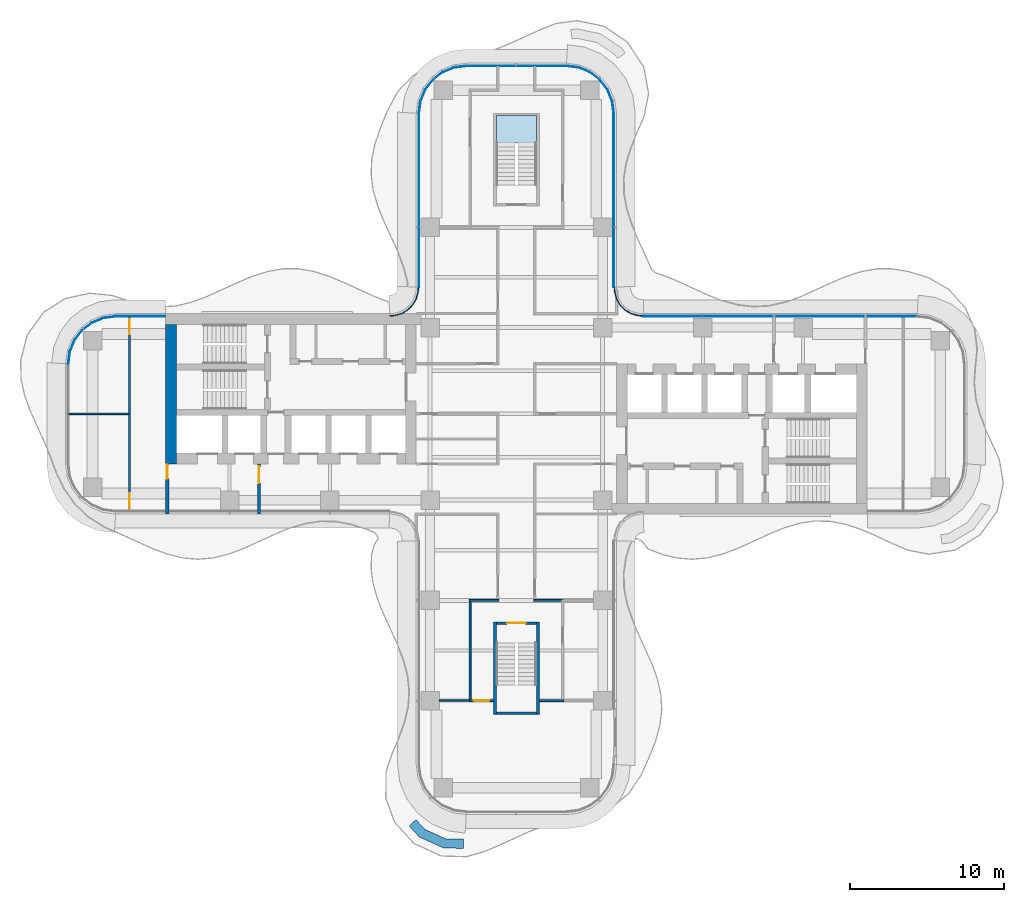
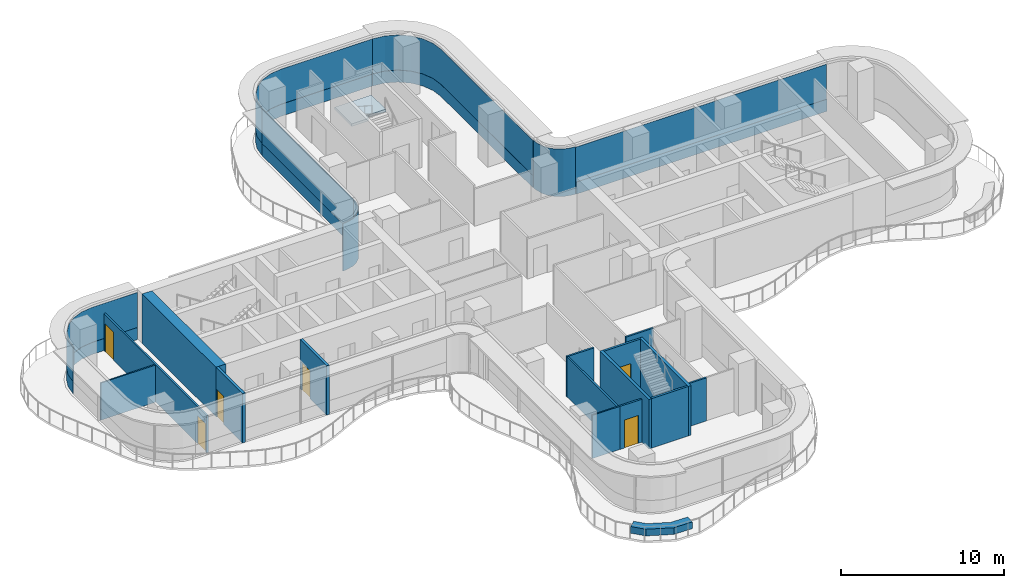
# One storey, part 13 of 19: 16 walls, 12 plates, 6 doors, 1 slab, 6 openings, 8 elements without a shape of their own.
"""IFC4 building model written with IfcOpenShell, lengths in metres."""

from ifc_helpers import new_model, si_unit, direction, frame, frame_2d, origin, place, context, subcontext, project, spatial, polyline, rectangle, outline, extrude, source, transform, mapped, material, layer, layer_set, type_object, element, fill, aggregate, save


model = new_model("IFC4")

# Units and contexts
model_context = context("Model", 3, precision=1e-05, world=origin(), true_north=direction((0.0, 1.0)))
body_context = subcontext(model_context, "Body", "Model", "MODEL_VIEW")
ifc_project = project(units=[si_unit("LENGTHUNIT", "METRE"), si_unit("AREAUNIT", "SQUARE_METRE"), si_unit("VOLUMEUNIT", "CUBIC_METRE"), si_unit("PLANEANGLEUNIT", "RADIAN"), si_unit("MASSUNIT", "GRAM", prefix="KILO")], contexts=[model_context])

# Site, building, storey
site_placement = place(None, origin())
site = spatial("IfcSite", under=ifc_project, at=site_placement, CompositionType="ELEMENT")
building_placement = place(site_placement, origin())
building = spatial("IfcBuilding", under=site, at=building_placement, Name="Trellis Farm Tower", CompositionType="ELEMENT")
storey_placement = place(building_placement, frame((0.0, 0.0, 197.10009765625)))
storey = spatial("IfcBuildingStorey", under=building, at=storey_placement, Name="L43", CompositionType="ELEMENT", Elevation=197.10009765625)

# Stair, slab
ifc_material_1 = material(Name="Concrete C50/60", Category="concrete")
stair_type = type_object("IfcStairType", Name="CORE EXIT STAIR 22 RISERS 177 MM", PredefinedType="HALF_TURN_STAIR", material=ifc_material_1)
placement_1 = place(storey_placement, origin())
stair = element("IfcStair", 1, at=placement_1, inside=storey, type_object=stair_type, Name="Exit stair N", PredefinedType="HALF_TURN_STAIR")
ifc_layer_1 = layer(ifc_material_1, 0.18994140625)
ifc_layer_set_1 = layer_set([ifc_layer_1], Name="CORE STAIR LANDING 190 CONCRETE C50/60")
slab_type = type_object("IfcSlabType", Name="CORE STAIR LANDING 190 CONCRETE C50/60", PredefinedType="LANDING", material=ifc_layer_set_1)
shared_shape_1 = source(origin(), body_context, "Body", "SweptSolid", [
    extrude(outline(polyline([(-0.10009765625, 17.27197265625), (-1.300048828125, 17.27197265625), (-1.300048828125, 17.60009765625), (-1.300048828125, 19.35009765625), (1.300048828125, 19.35009765625), (1.300048828125, 17.60009765625), (1.300048828125, 17.590087890625), (0.10009765625, 17.590087890625), (0.10009765625, 17.60009765625), (-0.10009765625, 17.60009765625), (-0.10009765625, 17.27197265625)])), origin(), (0.0, 0.0, 1.0), 0.18994140625),
])
slab_placement = place(storey_placement, frame((0.0, 0.0, 1.760009765625)))
slab = element("IfcSlab", 2, at=slab_placement, type_object=slab_type, Name="STN landing 1", PredefinedType="LANDING", context=body_context, shape_type="MappedRepresentation", body=[
    mapped(shared_shape_1, transform((0.0, 0.0, 0.0))),
])
aggregate(stair, [slab])

# Curtain wall, plates
ifc_material_2 = material(Name="Aluminium and glass curtain wall", Category="aluminium")
ifc_layer_2 = layer(ifc_material_2, 0.18994140625)
ifc_layer_set_2 = layer_set([ifc_layer_2], Name="RIBBON CURTAIN WALL CW1")
curtain_wall_type_1 = type_object("IfcCurtainWallType", Name="RIBBON CURTAIN WALL CW1", PredefinedType="NOTDEFINED", material=ifc_layer_set_2)
curtain_wall_1 = element("IfcCurtainWall", 3, at=placement_1, inside=storey, type_object=curtain_wall_type_1, Name="CW1 008", PredefinedType="NOTDEFINED")
ifc_material_3 = material(Name="Sandstone faced insulated panel", Category="masonry")
ifc_layer_3 = layer(ifc_material_3, 0.050048828125)
ifc_layer_set_3 = layer_set([ifc_layer_3], Name="CW1 STONE SPANDREL PANEL 50")
plate_type_1 = type_object("IfcPlateType", Name="CW1 STONE SPANDREL PANEL 50", PredefinedType="CURTAIN_PANEL", material=ifc_layer_set_3)
shared_shape_2 = source(origin(), body_context, "Body", "SweptSolid", [
    extrude(outline(polyline([(25.990234375, 6.35009765625), (8.2265625, 6.35009765625), (8.224853515625, 6.300048828125), (25.98681640625, 6.300048828125), (25.990234375, 6.35009765625)])), origin(), (0.0, 0.0, 1.0), 0.89990234375),
])
plate_1 = element("IfcPlate", 4, at=placement_1, type_object=plate_type_1, Name="PS1 008", PredefinedType="CURTAIN_PANEL", context=body_context, shape_type="MappedRepresentation", body=[
    mapped(shared_shape_2, transform((0.0, 0.0, 0.0))),
])
ifc_material_4 = material(Name="Clear insulated glass", Category="glass")
ifc_layer_4 = layer(ifc_material_4, 0.0400390625)
ifc_layer_set_4 = layer_set([ifc_layer_4], Name="CW1 GLASS PANEL 40")
plate_type_2 = type_object("IfcPlateType", Name="CW1 GLASS PANEL 40", PredefinedType="CURTAIN_PANEL", material=ifc_layer_set_4)
shared_shape_3 = source(origin(), body_context, "Body", "SweptSolid", [
    extrude(outline(polyline([(25.990234375, 6.35009765625), (8.2265625, 6.35009765625), (8.22509765625, 6.31005859375), (25.987548828125, 6.31005859375), (25.990234375, 6.35009765625)])), origin(), (0.0, 0.0, 1.0), 2.6201171875),
])
placement_2 = place(storey_placement, frame((0.0, 0.0, 0.89990234375)))
plate_2 = element("IfcPlate", 5, at=placement_2, type_object=plate_type_2, Name="PL1 008", PredefinedType="CURTAIN_PANEL", context=body_context, shape_type="MappedRepresentation", body=[
    mapped(shared_shape_3, transform((0.0, 0.0, 0.0))),
])
aggregate(curtain_wall_1, [plate_2, plate_1])

curtain_wall_2 = element("IfcCurtainWall", 6, at=placement_1, inside=storey, type_object=curtain_wall_type_1, Name="CW1 012", PredefinedType="NOTDEFINED")
shared_shape_4 = source(origin(), body_context, "Body", "SweptSolid", [
    extrude(outline(polyline([(-22.780029296875, 6.35009765625), (-25.990234375, 6.35009765625), (-26.802001953125, 6.2431640625), (-27.54931640625, 5.93359375), (-28.191162109375, 5.441162109375), (-28.68359375, 4.79931640625), (-28.9931640625, 4.052001953125), (-29.10009765625, 3.240234375), (-29.06005859375, 3.237548828125), (-28.9541015625, 4.04150390625), (-28.648681640625, 4.779296875), (-28.16259765625, 5.41259765625), (-27.529296875, 5.898681640625), (-26.79150390625, 6.2041015625), (-25.987548828125, 6.31005859375), (-22.780029296875, 6.31005859375), (-22.780029296875, 6.35009765625)])), origin(), (0.0, 0.0, 1.0), 2.6201171875),
])
plate_3 = element("IfcPlate", 7, at=placement_2, type_object=plate_type_2, Name="PL1 012", PredefinedType="CURTAIN_PANEL", context=body_context, shape_type="MappedRepresentation", body=[
    mapped(shared_shape_4, transform((0.0, 0.0, 0.0))),
])
shared_shape_5 = source(origin(), body_context, "Body", "SweptSolid", [
    extrude(outline(polyline([(-22.780029296875, 6.35009765625), (-25.990234375, 6.35009765625), (-26.802001953125, 6.2431640625), (-27.54931640625, 5.93359375), (-28.191162109375, 5.441162109375), (-28.68359375, 4.79931640625), (-28.9931640625, 4.052001953125), (-29.10009765625, 3.240234375), (-29.050048828125, 3.23681640625), (-28.9443359375, 4.0390625), (-28.639892578125, 4.774169921875), (-28.155517578125, 5.405517578125), (-27.524169921875, 5.889892578125), (-26.7890625, 6.1943359375), (-25.98681640625, 6.300048828125), (-22.780029296875, 6.300048828125), (-22.780029296875, 6.35009765625)])), origin(), (0.0, 0.0, 1.0), 0.89990234375),
])
plate_4 = element("IfcPlate", 8, at=placement_1, type_object=plate_type_1, Name="PS1 012", PredefinedType="CURTAIN_PANEL", context=body_context, shape_type="MappedRepresentation", body=[
    mapped(shared_shape_5, transform((0.0, 0.0, 0.0))),
])
aggregate(curtain_wall_2, [plate_3, plate_4])

# Curtain wall, plate
ifc_layer_5 = layer(ifc_material_2, 0.166015625)
ifc_layer_set_5 = layer_set([ifc_layer_5], Name="WINTER GARDEN CURTAIN WALL CW3")
curtain_wall_type_2 = type_object("IfcCurtainWallType", Name="WINTER GARDEN CURTAIN WALL CW3", PredefinedType="NOTDEFINED", material=ifc_layer_set_5)
curtain_wall_3 = element("IfcCurtainWall", 9, at=placement_1, inside=storey, type_object=curtain_wall_type_2, Name="CW3 003", PredefinedType="NOTDEFINED")
ifc_layer_6 = layer(ifc_material_4, 0.0458984375)
ifc_layer_set_6 = layer_set([ifc_layer_6], Name="CW3 GLASS PANEL 46")
plate_type_3 = type_object("IfcPlateType", Name="CW3 GLASS PANEL 46", PredefinedType="CURTAIN_PANEL", material=ifc_layer_set_6)
shared_shape_6 = source(origin(), body_context, "Body", "SweptSolid", [
    extrude(outline(polyline([(8.2275390625, 6.3798828125), (8.0078125, 6.394287109375), (7.89208984375, 6.40966796875), (7.462158203125, 6.52490234375), (7.070556640625, 6.7509765625), (6.7509765625, 7.070556640625), (6.52490234375, 7.462158203125), (6.40966796875, 7.89208984375), (6.394287109375, 8.0078125), (6.3798828125, 8.2275390625), (6.333984375, 8.22607421875), (6.3486328125, 8.003173828125), (6.364501953125, 7.883056640625), (6.48193359375, 7.4443359375), (6.714111328125, 7.04248046875), (7.04248046875, 6.714111328125), (7.4443359375, 6.48193359375), (7.883056640625, 6.364501953125), (8.003173828125, 6.3486328125), (8.22607421875, 6.333984375), (8.2275390625, 6.3798828125)])), origin(), (0.0, 0.0, 1.0), 3.5498046875),
])
plate_5 = element("IfcPlate", 10, at=placement_1, type_object=plate_type_3, Name="PL3 003", PredefinedType="CURTAIN_PANEL", context=body_context, shape_type="MappedRepresentation", body=[
    mapped(shared_shape_6, transform((0.0, 0.0, 0.0))),
])
aggregate(curtain_wall_3, [plate_5])

# Curtain wall, plates
curtain_wall_4 = element("IfcCurtainWall", 11, at=placement_1, inside=storey, type_object=curtain_wall_type_1, Name="CW1 009", PredefinedType="NOTDEFINED")
shared_shape_7 = source(origin(), body_context, "Body", "SweptSolid", [
    extrude(outline(polyline([(6.35009765625, 8.2265625), (6.35009765625, 19.490234375), (6.2431640625, 20.302001953125), (5.93359375, 21.04931640625), (5.441162109375, 21.691162109375), (4.79931640625, 22.18359375), (4.052001953125, 22.4931640625), (3.240234375, 22.60009765625), (3.237548828125, 22.56005859375), (4.04150390625, 22.4541015625), (4.779296875, 22.148681640625), (5.41259765625, 21.66259765625), (5.898681640625, 21.029296875), (6.2041015625, 20.29150390625), (6.31005859375, 19.487548828125), (6.31005859375, 8.22509765625), (6.35009765625, 8.2265625)])), origin(), (0.0, 0.0, 1.0), 2.6201171875),
])
plate_6 = element("IfcPlate", 12, at=placement_2, type_object=plate_type_2, Name="PL1 009", PredefinedType="CURTAIN_PANEL", context=body_context, shape_type="MappedRepresentation", body=[
    mapped(shared_shape_7, transform((0.0, 0.0, 0.0))),
])
shared_shape_8 = source(origin(), body_context, "Body", "SweptSolid", [
    extrude(outline(polyline([(6.35009765625, 8.2265625), (6.35009765625, 19.490234375), (6.2431640625, 20.302001953125), (5.93359375, 21.04931640625), (5.441162109375, 21.691162109375), (4.79931640625, 22.18359375), (4.052001953125, 22.4931640625), (3.240234375, 22.60009765625), (3.23681640625, 22.550048828125), (4.0390625, 22.4443359375), (4.774169921875, 22.139892578125), (5.405517578125, 21.655517578125), (5.889892578125, 21.024169921875), (6.1943359375, 20.2890625), (6.300048828125, 19.48681640625), (6.300048828125, 8.224853515625), (6.35009765625, 8.2265625)])), origin(), (0.0, 0.0, 1.0), 0.89990234375),
])
plate_7 = element("IfcPlate", 13, at=placement_1, type_object=plate_type_1, Name="PS1 009", PredefinedType="CURTAIN_PANEL", context=body_context, shape_type="MappedRepresentation", body=[
    mapped(shared_shape_8, transform((0.0, 0.0, 0.0))),
])
aggregate(curtain_wall_4, [plate_6, plate_7])

curtain_wall_5 = element("IfcCurtainWall", 14, at=placement_1, inside=storey, type_object=curtain_wall_type_1, Name="CW1 010", PredefinedType="NOTDEFINED")
shared_shape_9 = source(origin(), body_context, "Body", "SweptSolid", [
    extrude(outline(polyline([(3.240234375, 22.60009765625), (-3.240234375, 22.60009765625), (-4.052001953125, 22.4931640625), (-4.79931640625, 22.18359375), (-5.441162109375, 21.691162109375), (-5.93359375, 21.04931640625), (-6.2431640625, 20.302001953125), (-6.35009765625, 19.490234375), (-6.31005859375, 19.487548828125), (-6.2041015625, 20.29150390625), (-5.898681640625, 21.029296875), (-5.41259765625, 21.66259765625), (-4.779296875, 22.148681640625), (-4.04150390625, 22.4541015625), (-3.237548828125, 22.56005859375), (3.237548828125, 22.56005859375), (3.240234375, 22.60009765625)])), origin(), (0.0, 0.0, 1.0), 2.6201171875),
])
plate_8 = element("IfcPlate", 15, at=placement_2, type_object=plate_type_2, Name="PL1 010", PredefinedType="CURTAIN_PANEL", context=body_context, shape_type="MappedRepresentation", body=[
    mapped(shared_shape_9, transform((0.0, 0.0, 0.0))),
])
shared_shape_10 = source(origin(), body_context, "Body", "SweptSolid", [
    extrude(outline(polyline([(3.240234375, 22.60009765625), (-3.240234375, 22.60009765625), (-4.052001953125, 22.4931640625), (-4.79931640625, 22.18359375), (-5.441162109375, 21.691162109375), (-5.93359375, 21.04931640625), (-6.2431640625, 20.302001953125), (-6.35009765625, 19.490234375), (-6.300048828125, 19.48681640625), (-6.1943359375, 20.2890625), (-5.889892578125, 21.024169921875), (-5.405517578125, 21.655517578125), (-4.774169921875, 22.139892578125), (-4.0390625, 22.4443359375), (-3.23681640625, 22.550048828125), (3.23681640625, 22.550048828125), (3.240234375, 22.60009765625)])), origin(), (0.0, 0.0, 1.0), 0.89990234375),
])
plate_9 = element("IfcPlate", 16, at=placement_1, type_object=plate_type_1, Name="PS1 010", PredefinedType="CURTAIN_PANEL", context=body_context, shape_type="MappedRepresentation", body=[
    mapped(shared_shape_10, transform((0.0, 0.0, 0.0))),
])
aggregate(curtain_wall_5, [plate_8, plate_9])

curtain_wall_6 = element("IfcCurtainWall", 17, at=placement_1, inside=storey, type_object=curtain_wall_type_1, Name="CW1 011", PredefinedType="NOTDEFINED")
shared_shape_11 = source(origin(), body_context, "Body", "SweptSolid", [
    extrude(outline(polyline([(-6.35009765625, 19.490234375), (-6.35009765625, 8.2265625), (-6.31005859375, 8.22509765625), (-6.31005859375, 19.487548828125), (-6.35009765625, 19.490234375)])), origin(), (0.0, 0.0, 1.0), 2.6201171875),
])
plate_10 = element("IfcPlate", 18, at=placement_2, type_object=plate_type_2, Name="PL1 011", PredefinedType="CURTAIN_PANEL", context=body_context, shape_type="MappedRepresentation", body=[
    mapped(shared_shape_11, transform((0.0, 0.0, 0.0))),
])
shared_shape_12 = source(origin(), body_context, "Body", "SweptSolid", [
    extrude(outline(polyline([(-6.35009765625, 19.490234375), (-6.35009765625, 8.2265625), (-6.300048828125, 8.224853515625), (-6.300048828125, 19.48681640625), (-6.35009765625, 19.490234375)])), origin(), (0.0, 0.0, 1.0), 0.89990234375),
])
plate_11 = element("IfcPlate", 19, at=placement_1, type_object=plate_type_1, Name="PS1 011", PredefinedType="CURTAIN_PANEL", context=body_context, shape_type="MappedRepresentation", body=[
    mapped(shared_shape_12, transform((0.0, 0.0, 0.0))),
])
aggregate(curtain_wall_6, [plate_10, plate_11])

# Curtain wall, plate
curtain_wall_7 = element("IfcCurtainWall", 20, at=placement_1, inside=storey, type_object=curtain_wall_type_2, Name="CW3 004", PredefinedType="NOTDEFINED")
shared_shape_13 = source(origin(), body_context, "Body", "SweptSolid", [
    extrude(outline(polyline([(-6.3798828125, 8.2275390625), (-6.394287109375, 8.0078125), (-6.40966796875, 7.89208984375), (-6.52490234375, 7.462158203125), (-6.7509765625, 7.070556640625), (-7.070556640625, 6.7509765625), (-7.462158203125, 6.52490234375), (-7.89208984375, 6.40966796875), (-8.0078125, 6.394287109375), (-8.2275390625, 6.3798828125), (-8.22607421875, 6.333984375), (-8.003173828125, 6.3486328125), (-7.883056640625, 6.364501953125), (-7.4443359375, 6.48193359375), (-7.04248046875, 6.714111328125), (-6.714111328125, 7.04248046875), (-6.48193359375, 7.4443359375), (-6.364501953125, 7.883056640625), (-6.3486328125, 8.003173828125), (-6.333984375, 8.22607421875), (-6.3798828125, 8.2275390625)])), origin(), (0.0, 0.0, 1.0), 3.5498046875),
])
plate_12 = element("IfcPlate", 21, at=placement_1, type_object=plate_type_3, Name="PL3 004", PredefinedType="CURTAIN_PANEL", context=body_context, shape_type="MappedRepresentation", body=[
    mapped(shared_shape_13, transform((0.0, 0.0, 0.0))),
])
aggregate(curtain_wall_7, [plate_12])

# Walls
ifc_material_5 = material(Name="Sandstone faced masonry planter", Category="masonry")
ifc_layer_7 = layer(ifc_material_5, 0.60009765625)
ifc_layer_set_7 = layer_set([ifc_layer_7], Name="PLANTER BED 600")
wall_type_1 = type_object("IfcWallType", Name="PLANTER BED 600", PredefinedType="USERDEFINED", material=ifc_layer_set_7)
element("IfcWall", 22, at=placement_1, inside=storey, type_object=wall_type_1, Name="PLANTER bed", ObjectType="PLANTER", PredefinedType="USERDEFINED", context=body_context, shape_type="SweptSolid", body=[
    extrude(outline(polyline([(-6.30322265625, -27.4482421875), (-6.9580078125, -26.7333984375), (-6.515625, -26.328125), (-5.943115234375, -26.952880859375), (-4.6015625, -27.565185546875), (-3.426513671875, -27.59228515625), (-3.440185546875, -28.192138671875), (-4.738525390625, -28.162353515625), (-6.30322265625, -27.4482421875)])), origin(), (0.0, 0.0, 1.0), 0.5),
])
ifc_material_6 = material(Name="Concrete C70/85", Category="concrete")
ifc_layer_8 = layer(ifc_material_6, 0.699951171875)
ifc_layer_set_8 = layer_set([ifc_layer_8], Name="CORE OUTER WALL 700 CONCRETE C70/85")
wall_type_2 = type_object("IfcWallType", Name="CORE OUTER WALL 700 CONCRETE C70/85", PredefinedType="SHEAR", material=ifc_layer_set_8)
shared_shape_14 = source(origin(), body_context, "Body", "SweptSolid", [
    extrude(rectangle(XDim=9.050048828125, YDim=0.699951171875, at=frame_2d((4.52490234375, 0.0))), origin(), (0.0, 0.0, 1.0), 3.699951171875),
])
wall_2_placement = place(storey_placement, frame((-22.39990234375, 5.800048828125, 0.0), z_axis=(0.0, 0.0, 1.0), x_axis=(0.0, -1.0, 0.0)))
element("IfcWall", 23, at=wall_2_placement, inside=storey, type_object=wall_type_2, Name="Core wall", PredefinedType="SHEAR", context=body_context, shape_type="MappedRepresentation", body=[
    mapped(shared_shape_14, transform((0.0, 0.0, 0.0))),
])

# Wall, opening, door
ifc_material_7 = material(Name="Masonry blockwork", Category="masonry")
ifc_layer_9 = layer(ifc_material_7, 0.199951171875)
ifc_layer_set_9 = layer_set([ifc_layer_9], Name="FIRE LOBBY PARTITION 200 BLOCKWORK")
wall_type_3 = type_object("IfcWallType", Name="FIRE LOBBY PARTITION 200 BLOCKWORK", PredefinedType="PARTITIONING", material=ifc_layer_set_9)
shared_shape_15 = source(origin(), body_context, "Body", "SweptSolid", [
    extrude(rectangle(XDim=3.25, YDim=0.199951171875, at=frame_2d((1.625, 0.0))), origin(), (0.0, 0.0, 1.0), 3.699951171875),
])
wall_3_placement = place(storey_placement, frame((-16.699951171875, -3.25, 0.0), z_axis=(0.0, 0.0, 1.0), x_axis=(0.0, -1.0, 0.0)))
wall_3 = element("IfcWall", 24, at=wall_3_placement, inside=storey, type_object=wall_type_3, Name="Fire-fighting lobby partition", PredefinedType="PARTITIONING", context=body_context, shape_type="MappedRepresentation", body=[
    mapped(shared_shape_15, transform((0.0, 0.0, 0.0))),
])
shared_shape_16 = source(origin(), body_context, "Body", "SweptSolid", [
    extrude(rectangle(XDim=1.10009765625, YDim=2.10009765625, at=frame_2d((0.550048828125, 1.050048828125))), frame((0.0, 0.110107421875, 0.0), z_axis=(0.0, -1.0, 0.0), x_axis=(1.0, 0.0, 0.0)), (0.0, 0.0, 1.0), 0.22021484375),
])
opening_1_placement = place(wall_3_placement, frame((0.14990234375, 0.0, 0.0)))
opening_1 = element("IfcOpeningElement", 25, at=opening_1_placement, cuts=wall_3, Name="Opening DC93", PredefinedType="OPENING", context=body_context, shape_type="MappedRepresentation", body=[
    mapped(shared_shape_16, transform((0.0, 0.0, 0.0))),
])
ifc_material_8 = material(Name="Steel", Category="steel")
door_type_1 = type_object("IfcDoorType", Name="CORE FIRE DOOR 1100 X 2100", OperationType="NOTDEFINED", PredefinedType="DOOR", material=ifc_material_8)
shared_shape_17 = source(origin(), body_context, "Body", "SweptSolid", [
    extrude(rectangle(XDim=1.10009765625, YDim=2.10009765625, at=frame_2d((0.550048828125, 1.050048828125))), frame((0.0, 0.02490234375, 0.0), z_axis=(0.0, -1.0, 0.0), x_axis=(1.0, 0.0, 0.0)), (0.0, 0.0, 1.0), 0.050048828125),
])
door_1_placement = place(opening_1_placement, origin())
door_1 = element("IfcDoor", 26, at=door_1_placement, inside=storey, type_object=door_type_1, Name="Core door", OperationType="SINGLE_SWING_RIGHT", OverallHeight=2.10009765625, OverallWidth=1.10009765625, PredefinedType="DOOR", context=body_context, shape_type="MappedRepresentation", body=[
    mapped(shared_shape_17, transform((0.0, 0.0, 0.0))),
])
fill(opening_1, door_1)

wall_4_placement = place(storey_placement, frame((-22.64990234375, -3.25, 0.0), z_axis=(0.0, 0.0, 1.0), x_axis=(0.0, -1.0, 0.0)))
wall_4 = element("IfcWall", 27, at=wall_4_placement, inside=storey, type_object=wall_type_3, Name="Fire-fighting lobby partition", PredefinedType="PARTITIONING", context=body_context, shape_type="MappedRepresentation", body=[
    mapped(shared_shape_15, transform((0.0, 0.0, 0.0))),
])
shared_shape_18 = source(origin(), body_context, "Body", "SweptSolid", [
    extrude(rectangle(XDim=0.89990234375, YDim=2.10009765625, at=frame_2d((0.449951171875, 1.050048828125))), frame((0.0, 0.110107421875, 0.0), z_axis=(0.0, -1.0, 0.0), x_axis=(1.0, 0.0, 0.0)), (0.0, 0.0, 1.0), 0.22021484375),
])
opening_2_placement = place(wall_4_placement, frame((0.050048828125, 0.0, 0.0)))
opening_2 = element("IfcOpeningElement", 28, at=opening_2_placement, cuts=wall_4, Name="Opening DC94", PredefinedType="OPENING", context=body_context, shape_type="MappedRepresentation", body=[
    mapped(shared_shape_18, transform((0.0, 0.0, 0.0))),
])
door_type_2 = type_object("IfcDoorType", Name="CORE FIRE DOOR 900 X 2100", OperationType="NOTDEFINED", PredefinedType="DOOR", material=ifc_material_8)
shared_shape_19 = source(origin(), body_context, "Body", "SweptSolid", [
    extrude(rectangle(XDim=0.89990234375, YDim=2.10009765625, at=frame_2d((0.449951171875, 1.050048828125))), frame((0.0, 0.02490234375, 0.0), z_axis=(0.0, -1.0, 0.0), x_axis=(1.0, 0.0, 0.0)), (0.0, 0.0, 1.0), 0.050048828125),
])
door_2_placement = place(opening_2_placement, origin())
door_2 = element("IfcDoor", 29, at=door_2_placement, inside=storey, type_object=door_type_2, Name="Core door", OperationType="SINGLE_SWING_RIGHT", OverallHeight=2.10009765625, OverallWidth=0.89990234375, PredefinedType="DOOR", context=body_context, shape_type="MappedRepresentation", body=[
    mapped(shared_shape_19, transform((0.0, 0.0, 0.0))),
])
fill(opening_2, door_2)

# Walls
ifc_layer_10 = layer(ifc_material_6, 0.199951171875)
ifc_layer_set_10 = layer_set([ifc_layer_10], Name="CORE STAIR ENCLOSURE WALL 200 CONCRETE C70/85")
wall_type_4 = type_object("IfcWallType", Name="CORE STAIR ENCLOSURE WALL 200 CONCRETE C70/85", PredefinedType="SHEAR", material=ifc_layer_set_10)
shared_shape_20 = source(origin(), body_context, "Body", "SweptSolid", [
    extrude(rectangle(XDim=6.0, YDim=0.199951171875, at=frame_2d((3.0, 0.0))), origin(), (0.0, 0.0, 1.0), 3.699951171875),
])
for number, where, z_axis, x_axis, name in (
    (30, (1.39990234375, -13.5, 0.0), (0.0, 0.0, 1.0), (0.0, -1.0, 0.0), "Stair enclosure wall"),
    (31, (-1.39990234375, -13.5, 0.0), (0.0, 0.0, 1.0), (0.0, -1.0, 0.0), "Stair enclosure wall"),
):
    element("IfcWall", number, at=place(storey_placement, frame(where, z_axis=z_axis, x_axis=x_axis)), inside=storey, type_object=wall_type_4, Name=name, PredefinedType="SHEAR", context=body_context, shape_type="MappedRepresentation", body=[
        mapped(shared_shape_20, transform((0.0, 0.0, 0.0))),
    ])

# Wall, opening, door
ifc_layer_11 = layer(ifc_material_6, 0.14990234375)
ifc_layer_set_11 = layer_set([ifc_layer_11], Name="CORE STAIR ENCLOSURE WALL 150 CONCRETE C70/85")
wall_type_5 = type_object("IfcWallType", Name="CORE STAIR ENCLOSURE WALL 150 CONCRETE C70/85", PredefinedType="SHEAR", material=ifc_layer_set_11)
shared_shape_21 = source(origin(), body_context, "Body", "SweptSolid", [
    extrude(rectangle(XDim=2.60009765625, YDim=0.14990234375, at=frame_2d((1.300048828125, 0.0))), origin(), (0.0, 0.0, 1.0), 3.699951171875),
])
wall_5_placement = place(storey_placement, frame((1.300048828125, -13.574951171875, 0.0), z_axis=(0.0, 0.0, 1.0), x_axis=(-1.0, 0.0, 0.0)))
wall_5 = element("IfcWall", 32, at=wall_5_placement, inside=storey, type_object=wall_type_5, Name="Stair enclosure wall", PredefinedType="SHEAR", context=body_context, shape_type="MappedRepresentation", body=[
    mapped(shared_shape_21, transform((0.0, 0.0, 0.0))),
])
shared_shape_22 = source(origin(), body_context, "Body", "SweptSolid", [
    extrude(rectangle(XDim=1.199951171875, YDim=2.10009765625, at=frame_2d((0.60009765625, 1.050048828125))), frame((0.0, 0.0849609375, 0.0), z_axis=(0.0, -1.0, 0.0), x_axis=(1.0, 0.0, 0.0)), (0.0, 0.0, 1.0), 0.169921875),
])
opening_3_placement = place(wall_5_placement, frame((0.699951171875, 0.0, 0.0)))
opening_3 = element("IfcOpeningElement", 33, at=opening_3_placement, cuts=wall_5, Name="Opening DC174", PredefinedType="OPENING", context=body_context, shape_type="MappedRepresentation", body=[
    mapped(shared_shape_22, transform((0.0, 0.0, 0.0))),
])
door_type_3 = type_object("IfcDoorType", Name="CORE FIRE DOOR 1200 X 2100", OperationType="NOTDEFINED", PredefinedType="DOOR", material=ifc_material_8)
shared_shape_23 = source(origin(), body_context, "Body", "SweptSolid", [
    extrude(rectangle(XDim=1.199951171875, YDim=2.10009765625, at=frame_2d((0.60009765625, 1.050048828125))), frame((0.0, 0.02490234375, 0.0), z_axis=(0.0, -1.0, 0.0), x_axis=(1.0, 0.0, 0.0)), (0.0, 0.0, 1.0), 0.050048828125),
])
door_3_placement = place(opening_3_placement, origin())
door_3 = element("IfcDoor", 34, at=door_3_placement, inside=storey, type_object=door_type_3, Name="Core door", OperationType="SINGLE_SWING_RIGHT", OverallHeight=2.10009765625, OverallWidth=1.199951171875, PredefinedType="DOOR", context=body_context, shape_type="MappedRepresentation", body=[
    mapped(shared_shape_23, transform((0.0, 0.0, 0.0))),
])
fill(opening_3, door_3)

# Walls
wall_6_placement = place(storey_placement, frame((1.300048828125, -19.425048828125, 0.0), z_axis=(0.0, 0.0, 1.0), x_axis=(-1.0, 0.0, 0.0)))
element("IfcWall", 35, at=wall_6_placement, inside=storey, type_object=wall_type_5, Name="Stair enclosure wall", PredefinedType="SHEAR", context=body_context, shape_type="MappedRepresentation", body=[
    mapped(shared_shape_21, transform((0.0, 0.0, 0.0))),
])
ifc_material_9 = material(Name="Plasterboard on steel studs", Category="steel")
ifc_layer_12 = layer(ifc_material_9, 0.10009765625)
ifc_layer_set_12 = layer_set([ifc_layer_12], Name="PARTITION 100 STUD EI 30")
wall_type_6 = type_object("IfcWallType", Name="PARTITION 100 STUD EI 30", PredefinedType="PARTITIONING", material=ifc_layer_set_12)
shared_shape_24 = source(origin(), body_context, "Body", "SweptSolid", [
    extrude(rectangle(XDim=2.0625, YDim=0.10009765625, at=frame_2d((1.03125, 0.0))), origin(), (0.0, 0.0, 1.0), 3.222900390625),
])
wall_7_placement = place(storey_placement, frame((-5.0, -18.60009765625, 0.0), z_axis=(0.0, 0.0, 1.0), x_axis=(1.0, 0.0, 0.0)))
element("IfcWall", 36, at=wall_7_placement, inside=storey, type_object=wall_type_6, Name="Partition PW2", PredefinedType="PARTITIONING", context=body_context, shape_type="MappedRepresentation", body=[
    mapped(shared_shape_24, transform((0.0, 0.0, 0.0))),
])

# Wall, opening, door
ifc_material_10 = material(Name="Plasterboard on steel studs, mineral wool", Category="steel")
ifc_layer_13 = layer(ifc_material_10, 0.125)
ifc_layer_set_13 = layer_set([ifc_layer_13], Name="PARTITION 125 STUD EI 60")
wall_type_7 = type_object("IfcWallType", Name="PARTITION 125 STUD EI 60", PredefinedType="PARTITIONING", material=ifc_layer_set_13)
shared_shape_25 = source(origin(), body_context, "Body", "SweptSolid", [
    extrude(rectangle(XDim=1.5625, YDim=0.125, at=frame_2d((0.78125, 0.0))), origin(), (0.0, 0.0, 1.0), 3.222900390625),
])
wall_8_placement = place(storey_placement, frame((-1.5, -18.60009765625, 0.0), z_axis=(0.0, 0.0, 1.0), x_axis=(-1.0, 0.0, 0.0)))
wall_8 = element("IfcWall", 37, at=wall_8_placement, inside=storey, type_object=wall_type_7, Name="Partition PW1", PredefinedType="PARTITIONING", context=body_context, shape_type="MappedRepresentation", body=[
    mapped(shared_shape_25, transform((0.0, 0.0, 0.0))),
])
shared_shape_26 = source(origin(), body_context, "Body", "SweptSolid", [
    extrude(rectangle(XDim=1.0, YDim=2.10009765625, at=frame_2d((0.5, 1.050048828125))), frame((0.0, 0.072509765625, 0.0), z_axis=(0.0, -1.0, 0.0), x_axis=(1.0, 0.0, 0.0)), (0.0, 0.0, 1.0), 0.14501953125),
])
opening_4_placement = place(wall_8_placement, frame((0.25, 0.0, 0.0)))
opening_4 = element("IfcOpeningElement", 38, at=opening_4_placement, cuts=wall_8, Name="Opening D101", PredefinedType="OPENING", context=body_context, shape_type="MappedRepresentation", body=[
    mapped(shared_shape_26, transform((0.0, 0.0, 0.0))),
])
ifc_material_11 = material(Name="Fire-rated timber door leaf in a hollow metal frame", Category="wood")
door_type_4 = type_object("IfcDoorType", Name="DOOR 1000x2100 FD30S", OperationType="NOTDEFINED", PredefinedType="DOOR", material=ifc_material_11)
shared_shape_27 = source(origin(), body_context, "Body", "SweptSolid", [
    extrude(rectangle(XDim=1.0, YDim=2.10009765625, at=frame_2d((0.5, 1.050048828125))), frame((0.0, 0.02490234375, 0.0), z_axis=(0.0, -1.0, 0.0), x_axis=(1.0, 0.0, 0.0)), (0.0, 0.0, 1.0), 0.050048828125),
])
door_4_placement = place(opening_4_placement, origin())
door_4 = element("IfcDoor", 39, at=door_4_placement, inside=storey, type_object=door_type_4, Name="Door D101", OperationType="SINGLE_SWING_LEFT", OverallHeight=2.10009765625, OverallWidth=1.0, PredefinedType="DOOR", context=body_context, shape_type="MappedRepresentation", body=[
    mapped(shared_shape_27, transform((0.0, 0.0, 0.0))),
])
fill(opening_4, door_4)

# Walls
wall_9_placement = place(storey_placement, frame((3.0625, -18.60009765625, 0.0), z_axis=(0.0, 0.0, 1.0), x_axis=(-1.0, 0.0, 0.0)))
element("IfcWall", 40, at=wall_9_placement, inside=storey, type_object=wall_type_7, Name="Partition PW1", PredefinedType="PARTITIONING", context=body_context, shape_type="MappedRepresentation", body=[
    mapped(shared_shape_25, transform((0.0, 0.0, 0.0))),
])
shared_shape_28 = source(origin(), body_context, "Body", "SweptSolid", [
    extrude(rectangle(XDim=1.925048828125, YDim=0.125, at=frame_2d((0.96240234375, 0.0))), origin(), (0.0, 0.0, 1.0), 2.99658203125),
])
for number, where, z_axis, x_axis, name in (
    (41, (-3.0625, -12.10009765625, 0.0), (0.0, 0.0, 1.0), (1.0, 0.0, 0.0), "Partition PW1"),
    (42, (1.137451171875, -12.10009765625, 0.0), (0.0, 0.0, 1.0), (1.0, 0.0, 0.0), "Partition PW1"),
):
    element("IfcWall", number, at=place(storey_placement, frame(where, z_axis=z_axis, x_axis=x_axis)), inside=storey, type_object=wall_type_7, Name=name, PredefinedType="PARTITIONING", context=body_context, shape_type="MappedRepresentation", body=[
        mapped(shared_shape_28, transform((0.0, 0.0, 0.0))),
    ])

# Wall, openings, doors
shared_shape_29 = source(origin(), body_context, "Body", "SweptSolid", [
    extrude(rectangle(XDim=12.60009765625, YDim=0.125, at=frame_2d((6.300048828125, 0.0))), origin(), (0.0, 0.0, 1.0), 2.77978515625),
])
wall_10_placement = place(storey_placement, frame((-25.10009765625, -6.300048828125, 0.0), z_axis=(0.0, 0.0, 1.0), x_axis=(0.0, 1.0, 0.0)))
wall_10 = element("IfcWall", 43, at=wall_10_placement, inside=storey, type_object=wall_type_7, Name="Partition PW1", PredefinedType="PARTITIONING", context=body_context, shape_type="MappedRepresentation", body=[
    mapped(shared_shape_29, transform((0.0, 0.0, 0.0))),
])
opening_5_placement = place(wall_10_placement, frame((0.14990234375, 0.0, 0.0)))
opening_5 = element("IfcOpeningElement", 44, at=opening_5_placement, cuts=wall_10, Name="Opening D104", PredefinedType="OPENING", context=body_context, shape_type="MappedRepresentation", body=[
    mapped(shared_shape_26, transform((0.0, 0.0, 0.0))),
])
opening_6_placement = place(wall_10_placement, frame((11.449951171875, 0.0, 0.0)))
opening_6 = element("IfcOpeningElement", 45, at=opening_6_placement, cuts=wall_10, Name="Opening D109", PredefinedType="OPENING", context=body_context, shape_type="MappedRepresentation", body=[
    mapped(shared_shape_26, transform((0.0, 0.0, 0.0))),
])
door_5_placement = place(opening_5_placement, origin())
door_5 = element("IfcDoor", 46, at=door_5_placement, inside=storey, type_object=door_type_4, Name="Door D104", OperationType="SINGLE_SWING_LEFT", OverallHeight=2.10009765625, OverallWidth=1.0, PredefinedType="DOOR", context=body_context, shape_type="MappedRepresentation", body=[
    mapped(shared_shape_27, transform((0.0, 0.0, 0.0))),
])
fill(opening_5, door_5)
door_6_placement = place(opening_6_placement, origin())
door_6 = element("IfcDoor", 47, at=door_6_placement, inside=storey, type_object=door_type_4, Name="Door D109", OperationType="SINGLE_SWING_RIGHT", OverallHeight=2.10009765625, OverallWidth=1.0, PredefinedType="DOOR", context=body_context, shape_type="MappedRepresentation", body=[
    mapped(shared_shape_27, transform((0.0, 0.0, 0.0))),
])
fill(opening_6, door_6)

# Walls
shared_shape_30 = source(origin(), body_context, "Body", "SweptSolid", [
    extrude(rectangle(XDim=6.387451171875, YDim=0.125, at=frame_2d((3.19384765625, 0.0))), origin(), (0.0, 0.0, 1.0), 2.99658203125),
])
wall_11_placement = place(storey_placement, frame((-3.0, -18.550048828125, 0.0), z_axis=(0.0, 0.0, 1.0), x_axis=(0.0, 1.0, 0.0)))
element("IfcWall", 48, at=wall_11_placement, inside=storey, type_object=wall_type_7, Name="Partition PW1", PredefinedType="PARTITIONING", context=body_context, shape_type="MappedRepresentation", body=[
    mapped(shared_shape_30, transform((0.0, 0.0, 0.0))),
])
shared_shape_31 = source(origin(), body_context, "Body", "SweptSolid", [
    extrude(rectangle(XDim=3.887451171875, YDim=0.10009765625, at=frame_2d((1.94384765625, 0.0))), origin(), (0.0, 0.0, 1.0), 2.77978515625),
])
wall_12_placement = place(storey_placement, frame((-29.050048828125, 0.0, 0.0), z_axis=(0.0, 0.0, 1.0), x_axis=(1.0, 0.0, 0.0)))
element("IfcWall", 49, at=wall_12_placement, inside=storey, type_object=wall_type_6, Name="Partition PW2", PredefinedType="PARTITIONING", context=body_context, shape_type="MappedRepresentation", body=[
    mapped(shared_shape_31, transform((0.0, 0.0, 0.0))),
])

save(model, "model.ifc")
